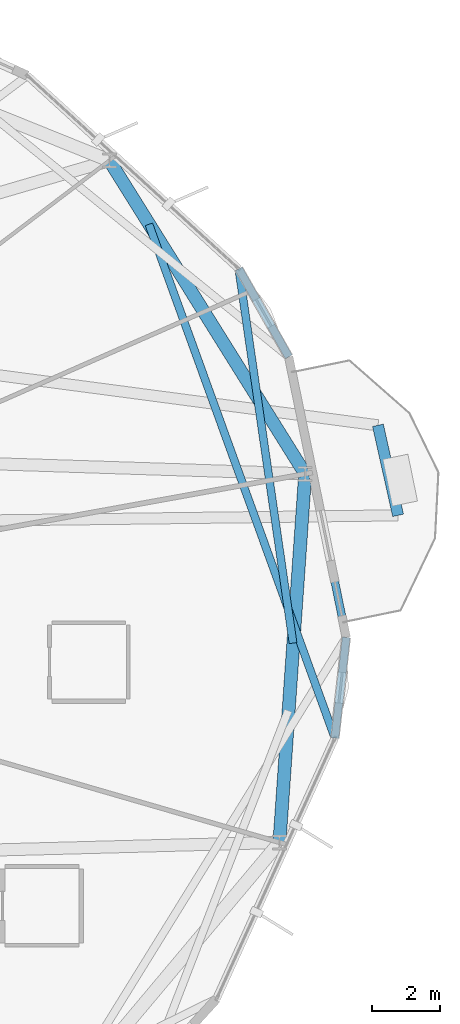
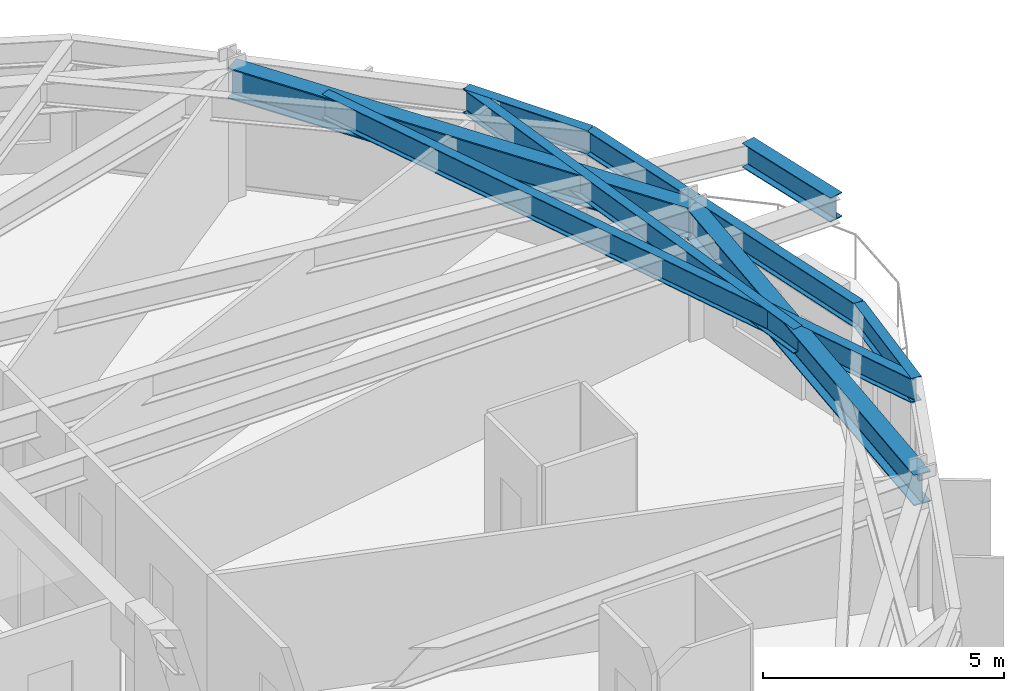
# One storey, part 10 of 22: 8 beams.
"""IFC4 building model written with IfcOpenShell, lengths in metres."""

from ifc_helpers import new_model, si_unit, direction, frame, origin, origin_2d, place, context, subcontext, project, spatial, i_section, extrude, material, material_profile, profile_set, type_object, element, save


model = new_model("IFC4")

# Units and contexts
model_context = context("Model", 3, precision=1e-05, world=origin(), true_north=direction((0.0, 1.0)))
body_context = subcontext(model_context, "Body", "Model", "MODEL_VIEW")
ifc_project = project(units=[si_unit("LENGTHUNIT", "METRE"), si_unit("AREAUNIT", "SQUARE_METRE"), si_unit("VOLUMEUNIT", "CUBIC_METRE"), si_unit("PLANEANGLEUNIT", "RADIAN"), si_unit("MASSUNIT", "GRAM", prefix="KILO")], contexts=[model_context])

# Site, building, storey
site_placement = place(None, origin())
site = spatial("IfcSite", under=ifc_project, at=site_placement, CompositionType="ELEMENT")
building_placement = place(site_placement, origin())
building = spatial("IfcBuilding", under=site, at=building_placement, Name="Soratama Intermodal Tower", CompositionType="ELEMENT")
storey_placement = place(building_placement, frame((0.0, 0.0, 142.60009765625)))
storey = spatial("IfcBuildingStorey", under=building, at=storey_placement, Name="L34", CompositionType="ELEMENT", Elevation=142.60009765625)

# Beams
ifc_material_1 = material(Name="Structural steel ASTM A992 Grade 50", Category="steel")
ifc_material_profile_1 = material_profile(ifc_material_1, i_section(OverallWidth=0.324951171875, OverallDepth=0.615966796875, WebThickness=0.013916015625, FlangeThickness=0.021484375, FilletRadius=0.013916015625, at=origin_2d()), Name="W24X117")
ifc_profile_set_1 = profile_set([ifc_material_profile_1], Name="Structural steel ASTM A992 Grade 50")
beam_type_1 = type_object("IfcBeamType", Name="BM-CANT-W24X117", PredefinedType="BEAM", material=ifc_profile_set_1)
beam_1_placement = place(storey_placement, frame((64.699951171875, 28.01904296875, 2.991943359375), z_axis=(-0.218288705924, 0.975884235382, 0.0), x_axis=(-0.975884235382, -0.218288705924, 0.0)))
element("IfcBeam", 1, at=beam_1_placement, inside=storey, type_object=beam_type_1, Name="BM-L34-CBHDR-1", PredefinedType="BEAM", context=body_context, shape_type="SweptSolid", body=[
    extrude(i_section(OverallWidth=0.324951171875, OverallDepth=0.615966796875, WebThickness=0.013916015625, FlangeThickness=0.021484375, FilletRadius=0.013916015625, at=origin_2d()), origin(), (0.0, 0.0, 1.0), 2.7021484375),
])
ifc_material_2 = material(Name="Structural steel ASTM A992 Grade 50", Category="steel")
ifc_material_profile_2 = material_profile(ifc_material_2, i_section(OverallWidth=0.382080078125, OverallDepth=0.779052734375, WebThickness=0.01806640625, FlangeThickness=0.030029296875, FilletRadius=0.01806640625, at=origin_2d()), Name="W30X191")
ifc_profile_set_2 = profile_set([ifc_material_profile_2], Name="Structural steel ASTM A992 Grade 50")
beam_type_2 = type_object("IfcBeamType", Name="BM-RING-W30X191", PredefinedType="BEAM", material=ifc_profile_set_2)
beam_2_placement = place(storey_placement, frame((61.97998046875, 29.23388671875, 2.910400390625), z_axis=(-0.529891394359, 0.84806551055, 0.0), x_axis=(-0.84806551055, -0.529891394359, 0.0)))
element("IfcBeam", 2, at=beam_2_placement, inside=storey, type_object=beam_type_2, Name="BM-L34-RING-01", PredefinedType="BEAM", context=body_context, shape_type="SweptSolid", body=[
    extrude(i_section(OverallWidth=0.382080078125, OverallDepth=0.779052734375, WebThickness=0.01806640625, FlangeThickness=0.030029296875, FilletRadius=0.01806640625, at=origin_2d()), origin(), (0.0, 0.0, 1.0), 10.8154296875),
])
beam_3_placement = place(storey_placement, frame((61.22607421875, 18.444091796875, 2.910400390625), z_axis=(0.069702217409, 0.99756784275, 0.0), x_axis=(-0.99756784275, 0.069702217409, 0.0)))
element("IfcBeam", 3, at=beam_3_placement, inside=storey, type_object=beam_type_2, Name="BM-L34-RING-10", PredefinedType="BEAM", context=body_context, shape_type="SweptSolid", body=[
    extrude(i_section(OverallWidth=0.382080078125, OverallDepth=0.779052734375, WebThickness=0.01806640625, FlangeThickness=0.030029296875, FilletRadius=0.01806640625, at=origin_2d()), origin(), (0.0, 0.0, 1.0), 10.816162109375),
])
ifc_material_3 = material(Name="Structural steel ASTM A992 Grade 50", Category="steel")
ifc_material_profile_3 = material_profile(ifc_material_3, i_section(OverallWidth=0.22900390625, OverallDepth=0.612060546875, WebThickness=0.011962890625, FlangeThickness=0.01953125, FilletRadius=0.012939453125, at=origin_2d()), Name="W24X84")
ifc_profile_set_3 = profile_set([ifc_material_profile_3], Name="Structural steel ASTM A992 Grade 50")
beam_type_3 = type_object("IfcBeamType", Name="BM-SPN-W24X84", PredefinedType="SPANDREL", material=ifc_profile_set_3)
beam_4_placement = place(storey_placement, frame((62.85009765625, 21.4990234375, 2.993896484375), z_axis=(0.111840485986, 0.993726172391, 0.0), x_axis=(-0.993726172391, 0.111840485986, 0.0)))
element("IfcBeam", 4, at=beam_4_placement, inside=storey, type_object=beam_type_3, Name="BS-L34-CRN09", PredefinedType="SPANDREL", context=body_context, shape_type="SweptSolid", body=[
    extrude(i_section(OverallWidth=0.22900390625, OverallDepth=0.612060546875, WebThickness=0.011962890625, FlangeThickness=0.01953125, FilletRadius=0.012939453125, at=origin_2d()), origin(), (0.0, 0.0, 1.0), 2.966552734375),
])
beam_5_placement = place(storey_placement, frame((63.181884765625, 24.447021484375, 2.993896484375), z_axis=(-0.200734189033, 0.979645744825, 0.0), x_axis=(-0.979645744825, -0.200734189033, 0.0)))
element("IfcBeam", 5, at=beam_5_placement, inside=storey, type_object=beam_type_3, Name="BS-L34-F10", PredefinedType="SPANDREL", context=body_context, shape_type="SweptSolid", body=[
    extrude(i_section(OverallWidth=0.22900390625, OverallDepth=0.612060546875, WebThickness=0.011962890625, FlangeThickness=0.01953125, FilletRadius=0.012939453125, at=origin_2d()), origin(), (0.0, 0.0, 1.0), 8.383544921875),
])
beam_6_placement = place(storey_placement, frame((61.4990234375, 32.659912109375, 2.993896484375), z_axis=(-0.493681244149, 0.869642931999, 0.0), x_axis=(-0.869642931999, -0.493681244149, 0.0)))
element("IfcBeam", 6, at=beam_6_placement, inside=storey, type_object=beam_type_3, Name="BS-L34-CRN10", PredefinedType="SPANDREL", context=body_context, shape_type="SweptSolid", body=[
    extrude(i_section(OverallWidth=0.22900390625, OverallDepth=0.612060546875, WebThickness=0.011962890625, FlangeThickness=0.01953125, FilletRadius=0.012939453125, at=origin_2d()), origin(), (0.0, 0.0, 1.0), 2.9658203125),
])
ifc_material_4 = material(Name="Structural steel ASTM A992 Grade 50", Category="steel")
ifc_material_profile_4 = material_profile(ifc_material_4, i_section(OverallWidth=0.22900390625, OverallDepth=0.612060546875, WebThickness=0.011962890625, FlangeThickness=0.01953125, FilletRadius=0.012939453125, at=origin_2d()), Name="W24X84")
ifc_profile_set_4 = profile_set([ifc_material_profile_4], Name="Structural steel ASTM A992 Grade 50")
beam_type_4 = type_object("IfcBeamType", Name="BM-TIE-W24X84", PredefinedType="BEAM", material=ifc_profile_set_4)
beam_7_placement = place(storey_placement, frame((61.625, 24.279052734375, 2.993896484375), z_axis=(-0.143578332832, 0.98963895555, 0.0), x_axis=(-0.98963895555, -0.143578332832, 0.0)))
element("IfcBeam", 7, at=beam_7_placement, inside=storey, type_object=beam_type_4, Name="BM-L34-TIE0-01", PredefinedType="BEAM", context=body_context, shape_type="SweptSolid", body=[
    extrude(i_section(OverallWidth=0.22900390625, OverallDepth=0.612060546875, WebThickness=0.011962890625, FlangeThickness=0.01953125, FilletRadius=0.012939453125, at=origin_2d()), origin(), (0.0, 0.0, 1.0), 11.07470703125),
])
beam_8_placement = place(storey_placement, frame((57.404052734375, 36.541015625, 2.993896484375), z_axis=(0.340430382732, -0.940269724341, 0.0), x_axis=(0.940269724341, 0.340430382732, 0.0)))
element("IfcBeam", 8, at=beam_8_placement, inside=storey, type_object=beam_type_4, Name="BM-L34-TIE1-09", PredefinedType="BEAM", context=body_context, shape_type="SweptSolid", body=[
    extrude(i_section(OverallWidth=0.22900390625, OverallDepth=0.612060546875, WebThickness=0.011962890625, FlangeThickness=0.01953125, FilletRadius=0.012939453125, at=origin_2d()), origin(), (0.0, 0.0, 1.0), 15.99755859375),
])

save(model, "model.ifc")
